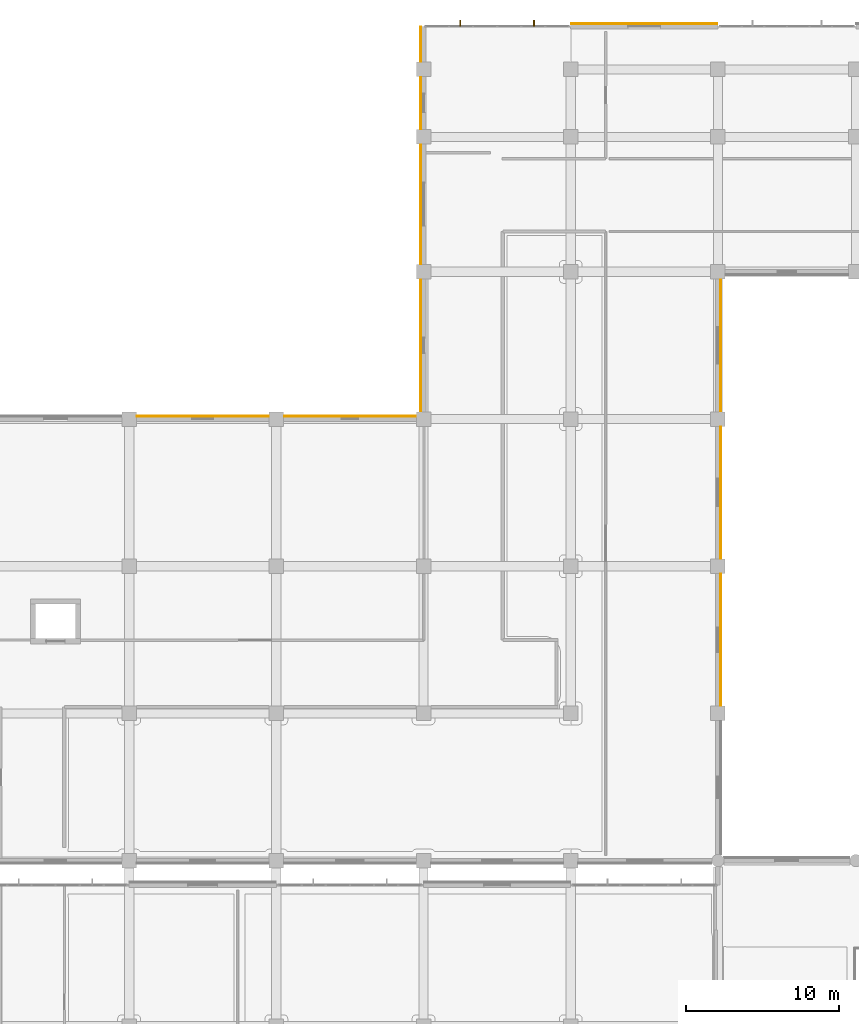
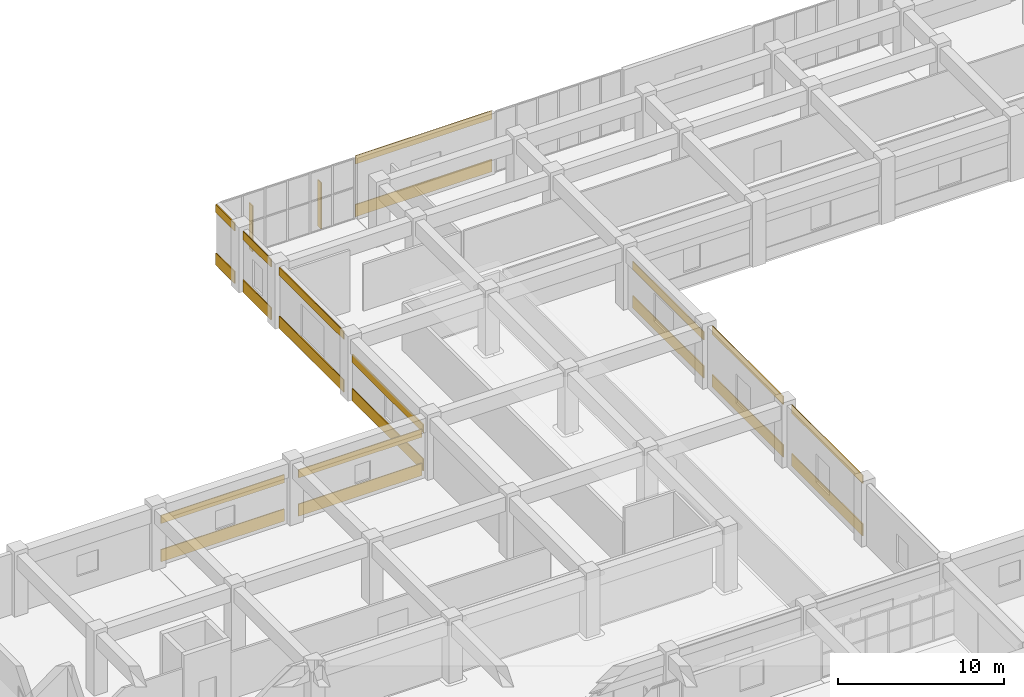
# One storey, part 79 of 86: 20 coverings, 2 shading devices.
"""IFC4 building model written with IfcOpenShell, lengths in metres."""

from ifc_helpers import new_model, si_unit, direction, frame, origin, origin_2d, place, context, subcontext, project, spatial, rectangle, extrude, material, layer, layer_set, type_object, element, save


model = new_model("IFC4")

# Units and contexts
model_context = context("Model", 3, precision=1e-05, world=origin(), true_north=direction((0.0, 1.0)))
body_context = subcontext(model_context, "Body", "Model", "MODEL_VIEW")
ifc_project = project(units=[si_unit("LENGTHUNIT", "METRE"), si_unit("AREAUNIT", "SQUARE_METRE"), si_unit("VOLUMEUNIT", "CUBIC_METRE"), si_unit("PLANEANGLEUNIT", "RADIAN"), si_unit("MASSUNIT", "GRAM", prefix="KILO")], contexts=[model_context])

# Site, building, storey
site_placement = place(None, origin())
site = spatial("IfcSite", under=ifc_project, at=site_placement, CompositionType="ELEMENT")
building_placement = place(site_placement, origin())
building = spatial("IfcBuilding", under=site, at=building_placement, Name="Cendralis Terraced Arcade", CompositionType="ELEMENT")
storey_placement = place(building_placement, frame((0.0, 0.0, 5.39990234375)))
storey = spatial("IfcBuildingStorey", under=building, at=storey_placement, Name="L01", CompositionType="ELEMENT", Elevation=5.39990234375)

# Coverings
ifc_material_1 = material(Name="Precast concrete f'c 40 MPa", Category="concrete")
ifc_layer = layer(ifc_material_1, 0.06494140625, Name="COV-CLAD-GRC-65")
ifc_layer_set = layer_set([ifc_layer], Name="Precast concrete f'c 40 MPa")
covering_type = type_object("IfcCoveringType", Name="COV-CLAD-GRC-65", PredefinedType="CLADDING", material=ifc_layer_set)
covering_1_placement = place(storey_placement, frame((33.60009765625, 88.97998046875, 0.000244140625), z_axis=(0.0, 0.0, 1.0), x_axis=(1.0, 0.0, 0.0)))
element("IfcCovering", 1, at=covering_1_placement, inside=storey, type_object=covering_type, Name="Banded Precast Stone Spandrel Cladding L01-127", PredefinedType="CLADDING", context=body_context, shape_type="SweptSolid", body=[
    extrude(rectangle(XDim=8.593994140625, YDim=0.06494140625, at=origin_2d()), origin(), (0.0, 0.0, 1.0), 0.89990234375),
])
covering_2_placement = place(storey_placement, frame((33.60009765625, 88.97998046875, 2.824951171875), z_axis=(0.0, 0.0, 1.0), x_axis=(1.0, 0.0, 0.0)))
element("IfcCovering", 2, at=covering_2_placement, inside=storey, type_object=covering_type, Name="Banded Precast Stone Lintel Cladding L01-128", PredefinedType="CLADDING", context=body_context, shape_type="SweptSolid", body=[
    extrude(rectangle(XDim=8.593994140625, YDim=0.06494140625, at=origin_2d()), origin(), (0.0, 0.0, 1.0), 0.60009765625),
])
covering_3_placement = place(storey_placement, frame((43.199951171875, 88.97998046875, 0.000244140625), z_axis=(0.0, 0.0, 1.0), x_axis=(1.0, 0.0, 0.0)))
element("IfcCovering", 3, at=covering_3_placement, inside=storey, type_object=covering_type, Name="Banded Precast Stone Spandrel Cladding L01-129", PredefinedType="CLADDING", context=body_context, shape_type="SweptSolid", body=[
    extrude(rectangle(XDim=8.593994140625, YDim=0.06494140625, at=origin_2d()), origin(), (0.0, 0.0, 1.0), 0.89990234375),
])
covering_4_placement = place(storey_placement, frame((43.199951171875, 88.97998046875, 2.824951171875), z_axis=(0.0, 0.0, 1.0), x_axis=(1.0, 0.0, 0.0)))
element("IfcCovering", 4, at=covering_4_placement, inside=storey, type_object=covering_type, Name="Banded Precast Stone Lintel Cladding L01-130", PredefinedType="CLADDING", context=body_context, shape_type="SweptSolid", body=[
    extrude(rectangle(XDim=8.593994140625, YDim=0.06494140625, at=origin_2d()), origin(), (0.0, 0.0, 1.0), 0.60009765625),
])
covering_5_placement = place(storey_placement, frame((47.820068359375, 93.60009765625, 0.000244140625), z_axis=(0.0, 0.0, 1.0), x_axis=(0.0, 1.0, 0.0)))
element("IfcCovering", 5, at=covering_5_placement, inside=storey, type_object=covering_type, Name="Banded Precast Stone Spandrel Cladding L01-131", PredefinedType="CLADDING", context=body_context, shape_type="SweptSolid", body=[
    extrude(rectangle(XDim=8.593994140625, YDim=0.06494140625, at=origin_2d()), origin(), (0.0, 0.0, 1.0), 0.89990234375),
])
covering_6_placement = place(storey_placement, frame((47.820068359375, 93.60009765625, 2.824951171875), z_axis=(0.0, 0.0, 1.0), x_axis=(0.0, 1.0, 0.0)))
element("IfcCovering", 6, at=covering_6_placement, inside=storey, type_object=covering_type, Name="Banded Precast Stone Lintel Cladding L01-132", PredefinedType="CLADDING", context=body_context, shape_type="SweptSolid", body=[
    extrude(rectangle(XDim=8.593994140625, YDim=0.06494140625, at=origin_2d()), origin(), (0.0, 0.0, 1.0), 0.60009765625),
])
covering_7_placement = place(storey_placement, frame((47.820068359375, 102.800048828125, 0.000244140625), z_axis=(0.0, 0.0, 1.0), x_axis=(0.0, 1.0, 0.0)))
element("IfcCovering", 7, at=covering_7_placement, inside=storey, type_object=covering_type, Name="Banded Precast Stone Spandrel Cladding L01-133", PredefinedType="CLADDING", context=body_context, shape_type="SweptSolid", body=[
    extrude(rectangle(XDim=7.7939453125, YDim=0.06494140625, at=origin_2d()), origin(), (0.0, 0.0, 1.0), 0.89990234375),
])
covering_8_placement = place(storey_placement, frame((47.820068359375, 102.800048828125, 3.885009765625), z_axis=(0.0, 0.0, 1.0), x_axis=(0.0, 1.0, 0.0)))
element("IfcCovering", 8, at=covering_8_placement, inside=storey, type_object=covering_type, Name="Banded Precast Stone Lintel Cladding L01-134", PredefinedType="CLADDING", context=body_context, shape_type="SweptSolid", body=[
    extrude(rectangle(XDim=7.7939453125, YDim=0.06494140625, at=origin_2d()), origin(), (0.0, 0.0, 1.0), 0.60009765625),
])
covering_9_placement = place(storey_placement, frame((47.820068359375, 109.39990234375, 0.000244140625), z_axis=(0.0, 0.0, 1.0), x_axis=(0.0, 1.0, 0.0)))
element("IfcCovering", 9, at=covering_9_placement, inside=storey, type_object=covering_type, Name="Banded Precast Stone Spandrel Cladding L01-135", PredefinedType="CLADDING", context=body_context, shape_type="SweptSolid", body=[
    extrude(rectangle(XDim=3.39404296875, YDim=0.06494140625, at=origin_2d()), origin(), (0.0, 0.0, 1.0), 0.89990234375),
])
covering_10_placement = place(storey_placement, frame((47.820068359375, 109.39990234375, 3.885009765625), z_axis=(0.0, 0.0, 1.0), x_axis=(0.0, 1.0, 0.0)))
element("IfcCovering", 10, at=covering_10_placement, inside=storey, type_object=covering_type, Name="Banded Precast Stone Lintel Cladding L01-136", PredefinedType="CLADDING", context=body_context, shape_type="SweptSolid", body=[
    extrude(rectangle(XDim=3.39404296875, YDim=0.06494140625, at=origin_2d()), origin(), (0.0, 0.0, 1.0), 0.60009765625),
])
covering_11_placement = place(storey_placement, frame((47.820068359375, 113.236572265625, 0.000244140625), z_axis=(0.0, 0.0, 1.0), x_axis=(0.0, 1.0, 0.0)))
element("IfcCovering", 11, at=covering_11_placement, inside=storey, type_object=covering_type, Name="Banded Precast Stone Spandrel Cladding L01-137", PredefinedType="CLADDING", context=body_context, shape_type="SweptSolid", body=[
    extrude(rectangle(XDim=2.26708984375, YDim=0.06494140625, at=origin_2d()), origin(), (0.0, 0.0, 1.0), 0.89990234375),
])
covering_12_placement = place(storey_placement, frame((47.820068359375, 113.236572265625, 3.885009765625), z_axis=(0.0, 0.0, 1.0), x_axis=(0.0, 1.0, 0.0)))
element("IfcCovering", 12, at=covering_12_placement, inside=storey, type_object=covering_type, Name="Banded Precast Stone Lintel Cladding L01-138", PredefinedType="CLADDING", context=body_context, shape_type="SweptSolid", body=[
    extrude(rectangle(XDim=2.26708984375, YDim=0.06494140625, at=origin_2d()), origin(), (0.0, 0.0, 1.0), 0.60009765625),
])
covering_13_placement = place(storey_placement, frame((62.39990234375, 114.580078125, 0.000244140625), z_axis=(0.0, 0.0, 1.0), x_axis=(1.0, 0.0, 0.0)))
element("IfcCovering", 13, at=covering_13_placement, inside=storey, type_object=covering_type, Name="Banded Precast Stone Spandrel Cladding L01-139", PredefinedType="CLADDING", context=body_context, shape_type="SweptSolid", body=[
    extrude(rectangle(XDim=9.5400390625, YDim=0.06494140625, at=origin_2d()), origin(), (0.0, 0.0, 1.0), 0.89990234375),
])
covering_14_placement = place(storey_placement, frame((62.39990234375, 114.580078125, 3.885009765625), z_axis=(0.0, 0.0, 1.0), x_axis=(1.0, 0.0, 0.0)))
element("IfcCovering", 14, at=covering_14_placement, inside=storey, type_object=covering_type, Name="Banded Precast Stone Lintel Cladding L01-140", PredefinedType="CLADDING", context=body_context, shape_type="SweptSolid", body=[
    extrude(rectangle(XDim=9.5400390625, YDim=0.06494140625, at=origin_2d()), origin(), (0.0, 0.0, 1.0), 0.60009765625),
])
covering_15_placement = place(storey_placement, frame((67.3798828125, 93.60009765625, 0.000244140625), z_axis=(0.0, 0.0, 1.0), x_axis=(0.0, -1.0, 0.0)))
element("IfcCovering", 15, at=covering_15_placement, inside=storey, type_object=covering_type, Name="Banded Precast Stone Spandrel Cladding L01-227", PredefinedType="CLADDING", context=body_context, shape_type="SweptSolid", body=[
    extrude(rectangle(XDim=8.593994140625, YDim=0.06494140625, at=origin_2d()), origin(), (0.0, 0.0, 1.0), 0.89990234375),
])
covering_16_placement = place(storey_placement, frame((67.3798828125, 93.60009765625, 2.824951171875), z_axis=(0.0, 0.0, 1.0), x_axis=(0.0, -1.0, 0.0)))
element("IfcCovering", 16, at=covering_16_placement, inside=storey, type_object=covering_type, Name="Banded Precast Stone Lintel Cladding L01-228", PredefinedType="CLADDING", context=body_context, shape_type="SweptSolid", body=[
    extrude(rectangle(XDim=8.593994140625, YDim=0.06494140625, at=origin_2d()), origin(), (0.0, 0.0, 1.0), 0.60009765625),
])
covering_17_placement = place(storey_placement, frame((67.3798828125, 84.0, 0.000244140625), z_axis=(0.0, 0.0, 1.0), x_axis=(0.0, -1.0, 0.0)))
element("IfcCovering", 17, at=covering_17_placement, inside=storey, type_object=covering_type, Name="Banded Precast Stone Spandrel Cladding L01-229", PredefinedType="CLADDING", context=body_context, shape_type="SweptSolid", body=[
    extrude(rectangle(XDim=8.593994140625, YDim=0.06494140625, at=origin_2d()), origin(), (0.0, 0.0, 1.0), 0.89990234375),
])
covering_18_placement = place(storey_placement, frame((67.3798828125, 84.0, 3.885009765625), z_axis=(0.0, 0.0, 1.0), x_axis=(0.0, -1.0, 0.0)))
element("IfcCovering", 18, at=covering_18_placement, inside=storey, type_object=covering_type, Name="Banded Precast Stone Lintel Cladding L01-230", PredefinedType="CLADDING", context=body_context, shape_type="SweptSolid", body=[
    extrude(rectangle(XDim=8.593994140625, YDim=0.06494140625, at=origin_2d()), origin(), (0.0, 0.0, 1.0), 0.60009765625),
])
covering_19_placement = place(storey_placement, frame((67.3798828125, 74.39990234375, 0.000244140625), z_axis=(0.0, 0.0, 1.0), x_axis=(0.0, -1.0, 0.0)))
element("IfcCovering", 19, at=covering_19_placement, inside=storey, type_object=covering_type, Name="Banded Precast Stone Spandrel Cladding L01-231", PredefinedType="CLADDING", context=body_context, shape_type="SweptSolid", body=[
    extrude(rectangle(XDim=8.593994140625, YDim=0.06494140625, at=origin_2d()), origin(), (0.0, 0.0, 1.0), 0.89990234375),
])
covering_20_placement = place(storey_placement, frame((67.3798828125, 74.39990234375, 3.885009765625), z_axis=(0.0, 0.0, 1.0), x_axis=(0.0, -1.0, 0.0)))
element("IfcCovering", 20, at=covering_20_placement, inside=storey, type_object=covering_type, Name="Banded Precast Stone Lintel Cladding L01-232", PredefinedType="CLADDING", context=body_context, shape_type="SweptSolid", body=[
    extrude(rectangle(XDim=8.593994140625, YDim=0.06494140625, at=origin_2d()), origin(), (0.0, 0.0, 1.0), 0.60009765625),
])

# Shading devices
ifc_material_2 = material(Name="Anodised aluminium EN AW-6063 T6", Category="aluminium")
shading_device_type = type_object("IfcShadingDeviceType", Name="SHD-FIN-420", PredefinedType="USERDEFINED", material=ifc_material_2)
for number, where, z_axis, x_axis, name in (
    (21, (50.39990234375, 114.614990234375, 0.050048828125), (0.0, 0.0, 1.0), (1.0, 0.0, 0.0), "Parametric Vertical Solar Fin FIN-L01-003"),
    (22, (55.199951171875, 114.614990234375, 0.050048828125), (0.0, 0.0, 1.0), (1.0, 0.0, 0.0), "Parametric Vertical Solar Fin FIN-L01-004"),
):
    element("IfcShadingDevice", number, at=place(storey_placement, frame(where, z_axis=z_axis, x_axis=x_axis)), inside=storey, type_object=shading_device_type, Name=name, ObjectType="FIN", PredefinedType="USERDEFINED", context=body_context, shape_type="SweptSolid", body=[
        extrude(rectangle(XDim=0.074951171875, YDim=0.419921875, at=origin_2d()), origin(), (0.0, 0.0, 1.0), 3.39990234375),
    ])

save(model, "model.ifc")
